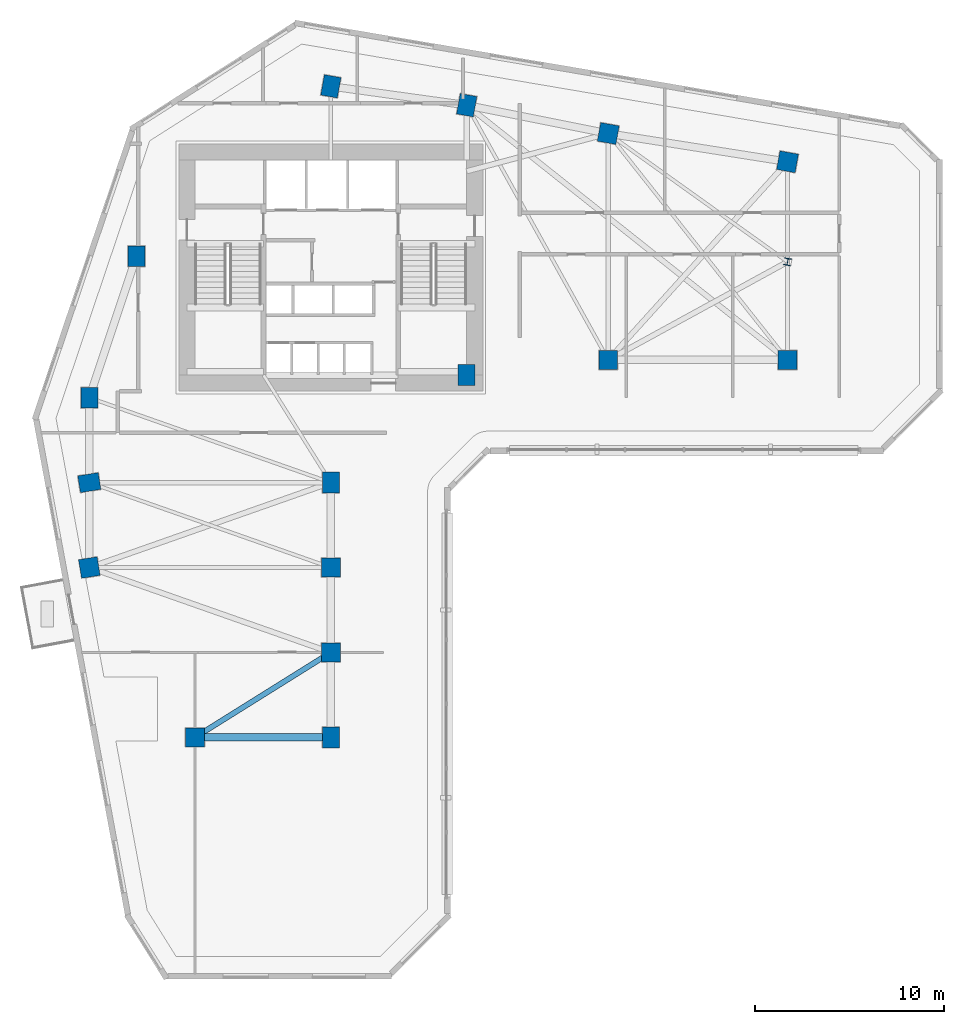
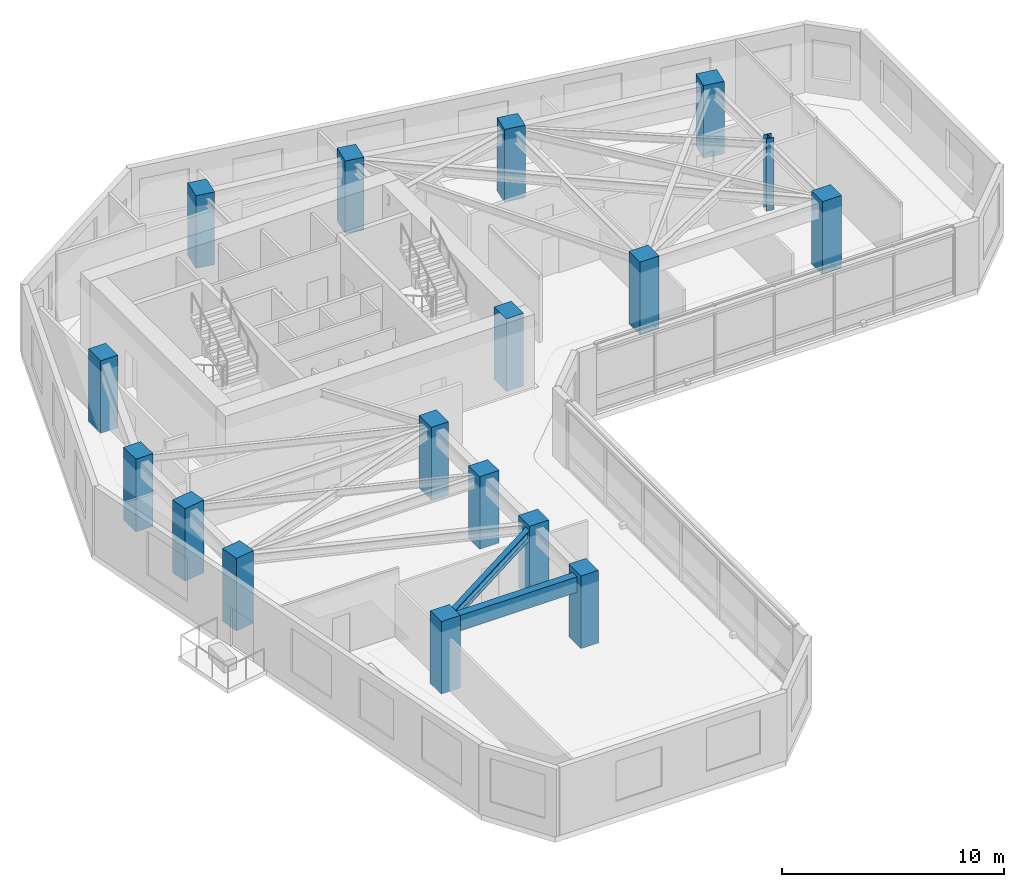
# One storey, part 1 of 9: 17 columns, 2 beams.
"""IFC4 building model written with IfcOpenShell, lengths in metres."""

from ifc_helpers import new_model, si_unit, direction, frame, origin, origin_2d, place, context, subcontext, project, spatial, rectangle, i_section, extrude, source, transform, mapped, material, material_profile, profile_set, type_object, element, save


model = new_model("IFC4")

# Units and contexts
model_context = context("Model", 3, precision=1e-05, world=origin(), true_north=direction((0.0, 1.0)))
body_context = subcontext(model_context, "Body", "Model", "MODEL_VIEW")
ifc_project = project(units=[si_unit("LENGTHUNIT", "METRE"), si_unit("AREAUNIT", "SQUARE_METRE"), si_unit("VOLUMEUNIT", "CUBIC_METRE"), si_unit("PLANEANGLEUNIT", "RADIAN"), si_unit("MASSUNIT", "GRAM", prefix="KILO")], contexts=[model_context])

# Site, building, storey
site_placement = place(None, origin())
site = spatial("IfcSite", under=ifc_project, at=site_placement, CompositionType="ELEMENT")
building_placement = place(site_placement, origin())
building = spatial("IfcBuilding", under=site, at=building_placement, Name="Calvemar Wedge Station Tower", CompositionType="ELEMENT")
storey_placement = place(building_placement, frame((0.0, 0.0, 63.0)))
storey = spatial("IfcBuildingStorey", under=building, at=storey_placement, Name="L15", CompositionType="ELEMENT", Elevation=63.0)

# Columns
ifc_material_1 = material(Name="Concrete C70", Category="concrete")
ifc_material_profile_1 = material_profile(ifc_material_1, rectangle(XDim=0.89990234375, YDim=1.10009765625, at=origin_2d()), Name="RC1100x900")
ifc_profile_set_1 = profile_set([ifc_material_profile_1], Name="Concrete C70")
column_type_1 = type_object("IfcColumnType", Name="COL-C3-1100x900", PredefinedType="COLUMN", material=ifc_profile_set_1)
shared_shape_1 = source(origin(), body_context, "Body", "SweptSolid", [
    extrude(rectangle(XDim=0.89990234375, YDim=1.10009765625, at=origin_2d()), origin(), (0.0, 0.0, 1.0), 4.0),
])
for number, where, z_axis, x_axis, name in (
    (1, (11.0, 33.0, 0.0), (0.0, 0.0, 1.0), (1.0, 0.0, 0.0), "Storey L15 Column T-NW1"),
    (2, (13.5, 40.5, 0.0), (0.0, 0.0, 1.0), (1.0, 0.0, 0.0), "Storey L15 Column T-NW2"),
    (3, (23.800048828125, 49.5, 0.0), (0.0, 0.0, 1.0), (0.984195607969, -0.17708474032, 0.0), "Storey L15 Column T-N1"),
    (4, (31.0, 48.5, 0.0), (0.0, 0.0, 1.0), (0.984195607969, -0.17708474032, 0.0), "Storey L15 Column T-N2"),
    (5, (31.0, 34.199951171875, 0.0), (0.0, 0.0, 1.0), (1.0, 0.0, 0.0), "Storey L15 Column T-NL1"),
    (6, (11.0, 28.5, 0.0), (0.0, 0.0, 1.0), (0.158158067254, -0.987413806751, 0.0), "Storey L15 Column T-SW1"),
    (7, (23.800048828125, 28.5, 0.0), (0.0, 0.0, 1.0), (1.0, 0.0, 0.0), "Storey L15 Column T-SE1"),
    (8, (23.800048828125, 15.0, 0.0), (0.0, 0.0, 1.0), (1.0, 0.0, 0.0), "Storey L15 Column T-SE4"),
):
    element("IfcColumn", number, at=place(storey_placement, frame(where, z_axis=z_axis, x_axis=x_axis)), inside=storey, type_object=column_type_1, Name=name, PredefinedType="COLUMN", context=body_context, shape_type="MappedRepresentation", body=[
        mapped(shared_shape_1, transform((0.0, 0.0, 0.0), scale=1.0)),
    ])
ifc_material_2 = material(Name="Concrete C60", Category="concrete")
ifc_material_profile_2 = material_profile(ifc_material_2, rectangle(XDim=1.0, YDim=1.0, at=origin_2d()), Name="RC1000x1000")
ifc_profile_set_2 = profile_set([ifc_material_profile_2], Name="Concrete C60")
column_type_2 = type_object("IfcColumnType", Name="COL-C4-1000", PredefinedType="COLUMN", material=ifc_profile_set_2)
shared_shape_2 = source(origin(), body_context, "Body", "SweptSolid", [
    extrude(rectangle(XDim=1.0, YDim=1.0, at=origin_2d()), origin(), (0.0, 0.0, 1.0), 4.0),
])
for number, where, z_axis, x_axis, name in (
    (9, (38.5, 47.0, 0.0), (0.0, 0.0, 1.0), (0.984195607969, -0.17708474032, 0.0), "Storey L15 Column T-NU3"),
    (10, (48.0, 45.5, 0.0), (0.0, 0.0, 1.0), (0.984195607969, -0.17708474032, 0.0), "Storey L15 Column T-NU4"),
    (11, (38.5, 35.0, 0.0), (0.0, 0.0, 1.0), (1.0, 0.0, 0.0), "Storey L15 Column T-NL2"),
    (12, (48.0, 35.0, 0.0), (0.0, 0.0, 1.0), (1.0, 0.0, 0.0), "Storey L15 Column T-NL3"),
    (13, (11.0, 24.0, 0.0), (0.0, 0.0, 1.0), (0.158158067254, -0.987413806751, 0.0), "Storey L15 Column T-SW2"),
    (14, (23.800048828125, 24.0, 0.0), (0.0, 0.0, 1.0), (1.0, 0.0, 0.0), "Storey L15 Column T-SE2"),
    (15, (23.800048828125, 19.5, 0.0), (0.0, 0.0, 1.0), (1.0, 0.0, 0.0), "Storey L15 Column T-SE3"),
    (16, (16.60009765625, 15.0, 0.0), (0.0, 0.0, 1.0), (1.0, 0.0, 0.0), "Storey L15 Column T-SM1"),
):
    element("IfcColumn", number, at=place(storey_placement, frame(where, z_axis=z_axis, x_axis=x_axis)), inside=storey, type_object=column_type_2, Name=name, PredefinedType="COLUMN", context=body_context, shape_type="MappedRepresentation", body=[
        mapped(shared_shape_2, transform((0.0, 0.0, 0.0), scale=1.0)),
    ])
ifc_material_3 = material(Name="Structural steel ASTM A572 Grade 50", Category="steel")
ifc_material_profile_3 = material_profile(ifc_material_3, i_section(OverallWidth=0.3740234375, OverallDepth=0.3720703125, WebThickness=0.016357421875, FlangeThickness=0.026123046875, FilletRadius=0.014892578125, at=origin_2d()), Name="W360x196")
ifc_profile_set_3 = profile_set([ifc_material_profile_3], Name="Structural steel ASTM A572 Grade 50")
column_type_3 = type_object("IfcColumnType", Name="COL-STL-W360", PredefinedType="COLUMN", material=ifc_profile_set_3)
shared_shape_3 = source(origin(), body_context, "Body", "SweptSolid", [
    extrude(i_section(OverallWidth=0.3740234375, OverallDepth=0.3720703125, WebThickness=0.016357421875, FlangeThickness=0.026123046875, FilletRadius=0.014892578125, at=origin_2d()), origin(), (0.0, 0.0, 1.0), 4.0),
])
column_placement = place(storey_placement, frame((48.0, 40.199951171875, 0.0), z_axis=(0.0, 0.0, 1.0), x_axis=(0.984195607969, -0.17708474032, 0.0)))
element("IfcColumn", 17, at=column_placement, inside=storey, type_object=column_type_3, Name="Storey L15 Column T-NTIP-A", PredefinedType="COLUMN", context=body_context, shape_type="MappedRepresentation", body=[
    mapped(shared_shape_3, transform((0.0, 0.0, 0.0), scale=1.0)),
])

# Beams
ifc_material_profile_4 = material_profile(ifc_material_2, rectangle(XDim=0.39990234375, YDim=0.85009765625, at=origin_2d()), Name="RC400x850")
ifc_profile_set_4 = profile_set([ifc_material_profile_4], Name="Concrete C60")
beam_type_1 = type_object("IfcBeamType", Name="BM-SP1-850", PredefinedType="SPANDREL", material=ifc_profile_set_4)
shared_shape_4 = source(origin(), body_context, "Body", "SweptSolid", [
    extrude(rectangle(XDim=0.39990234375, YDim=0.85009765625, at=origin_2d()), origin(), (0.0, 0.0, 1.0), 7.199951171875),
])
beam_1_placement = place(storey_placement, frame((16.60009765625, 15.0, 3.324951171875), z_axis=(1.0, 0.0, 0.0), x_axis=(0.0, 1.0, 0.0)))
element("IfcBeam", 18, at=beam_1_placement, inside=storey, type_object=beam_type_1, Name="Storey L15 Spandrel T-SM1-T-SE4", PredefinedType="SPANDREL", context=body_context, shape_type="MappedRepresentation", body=[
    mapped(shared_shape_4, transform((0.0, 0.0, 0.0), scale=1.0)),
])
ifc_material_profile_5 = material_profile(ifc_material_3, i_section(OverallWidth=0.279052734375, OverallDepth=0.553955078125, WebThickness=0.017578125, FlangeThickness=0.029541015625, FilletRadius=0.014892578125, at=origin_2d()), Name="W530x196")
ifc_profile_set_5 = profile_set([ifc_material_profile_5], Name="Structural steel ASTM A572 Grade 50")
beam_type_2 = type_object("IfcBeamType", Name="BM-SB3-W530H", PredefinedType="BEAM", material=ifc_profile_set_5)
shared_shape_5 = source(origin(), body_context, "Body", "SweptSolid", [
    extrude(i_section(OverallWidth=0.279052734375, OverallDepth=0.553955078125, WebThickness=0.017578125, FlangeThickness=0.029541015625, FilletRadius=0.014892578125, at=origin_2d()), origin(), (0.0, 0.0, 1.0), 8.490478515625),
])
beam_2_placement = place(storey_placement, frame((23.800048828125, 19.5, 3.472900390625), z_axis=(-0.847996688584, -0.530001524668, 0.0), x_axis=(0.530001524668, -0.847996688584, 0.0)))
element("IfcBeam", 19, at=beam_2_placement, inside=storey, type_object=beam_type_2, Name="Storey L15 Floor Beam T-SE3-T-SM1", PredefinedType="BEAM", context=body_context, shape_type="MappedRepresentation", body=[
    mapped(shared_shape_5, transform((0.0, 0.0, 0.0), scale=1.0)),
])

save(model, "model.ifc")
